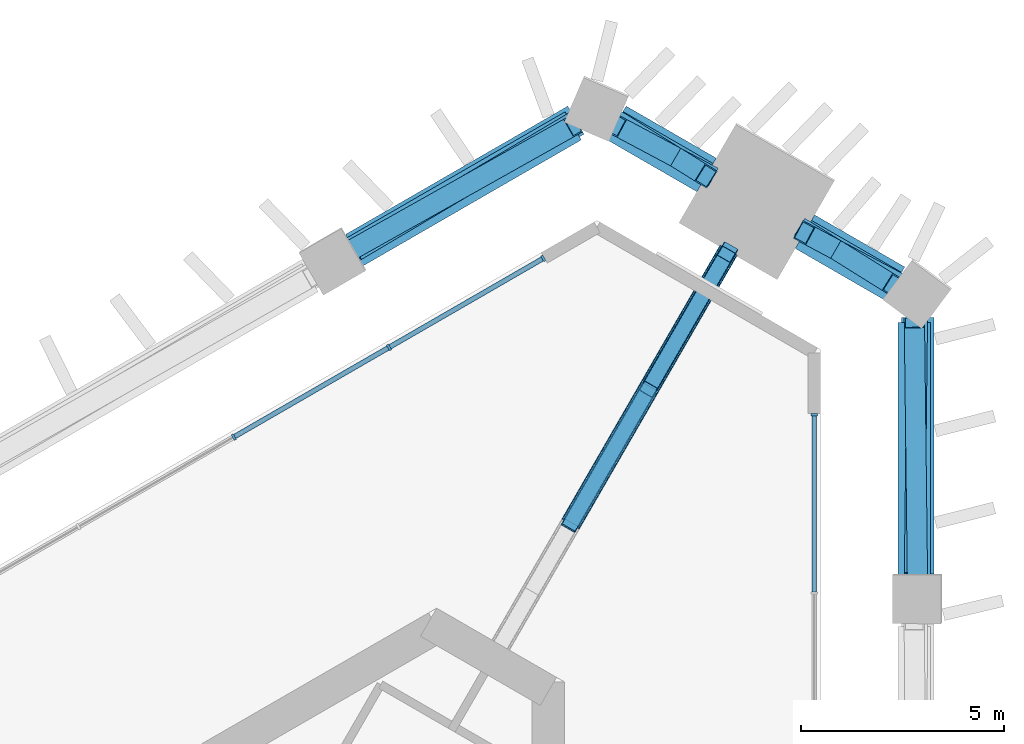
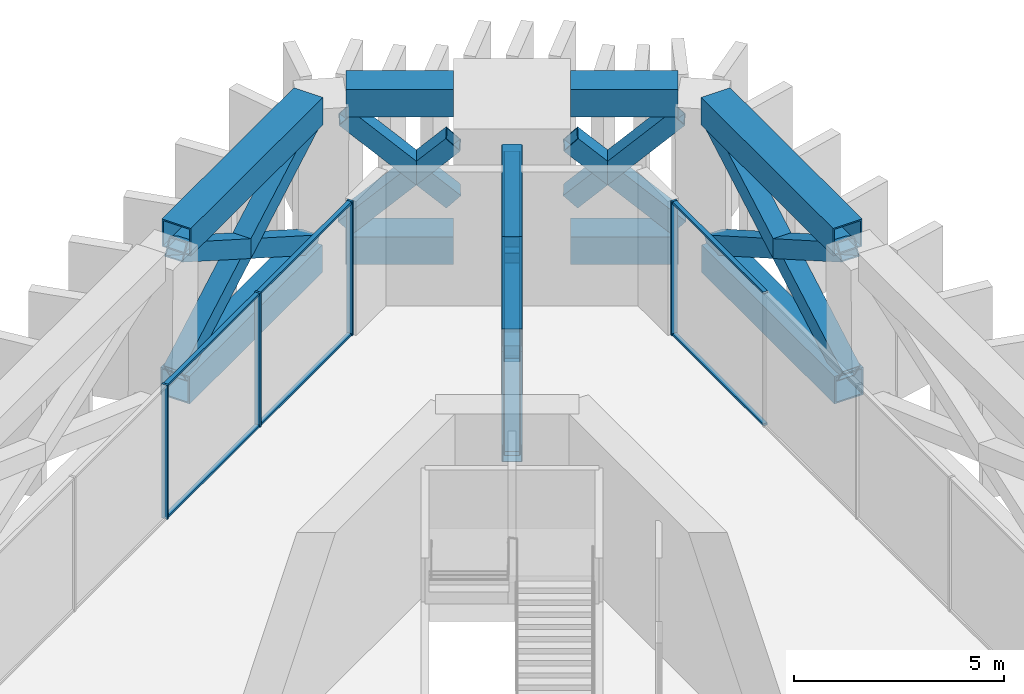
# One storey, part 12 of 18: 34 members, 2 elements without a shape of their own.
"""IFC4 building model written with IfcOpenShell, lengths in metres."""

from ifc_helpers import new_model, si_unit, direction, frame, origin, origin_2d, place, context, subcontext, project, spatial, rectangle, hollow_rectangle, extrude, material, layer, layer_set, material_profile, profile_set, type_object, element, aggregate, save


model = new_model("IFC4")

# Units and contexts
model_context = context("Model", 3, precision=1e-05, world=origin(), true_north=direction((0.0, 1.0)))
body_context = subcontext(model_context, "Body", "Model", "MODEL_VIEW")
ifc_project = project(units=[si_unit("LENGTHUNIT", "METRE"), si_unit("AREAUNIT", "SQUARE_METRE"), si_unit("VOLUMEUNIT", "CUBIC_METRE"), si_unit("PLANEANGLEUNIT", "RADIAN"), si_unit("MASSUNIT", "GRAM", prefix="KILO")], contexts=[model_context])

# Site, building, storey
site_placement = place(None, origin())
site = spatial("IfcSite", under=ifc_project, at=site_placement, CompositionType="ELEMENT")
building_placement = place(site_placement, origin())
building = spatial("IfcBuilding", under=site, at=building_placement, Name="Jabali Bay Hotel Tower and Convention Centre", CompositionType="ELEMENT")
storey_placement = place(building_placement, frame((0.0, 0.0, 52.89990234375)))
storey = spatial("IfcBuildingStorey", under=building, at=storey_placement, Name="L11", CompositionType="ELEMENT", Elevation=52.89990234375)

# Members
ifc_material_1 = material(Name="Steel Q420GJC", Category="steel")
ifc_material_profile_1 = material_profile(ifc_material_1, hollow_rectangle(XDim=0.5, YDim=0.5, WallThickness=0.030029296875, at=origin_2d()), Name="Belt brace 500x500x30")
ifc_profile_set_1 = profile_set([ifc_material_profile_1], Name="Steel Q420GJC")
member_type_1 = type_object("IfcMemberType", Name="Belt brace 500x500x30", PredefinedType="BRACE", material=ifc_profile_set_1)
member_1_placement = place(storey_placement, frame((93.396484375, 114.662109375, 1.351806640625), z_axis=(-0.634869581618, 0.338281152166, 0.69462686129), x_axis=(-0.470246250738, -0.882535247832, 0.0)))
element("IfcMember", 1, at=member_1_placement, inside=storey, type_object=member_type_1, Name="Belt brace T1 M1-V2 x1", PredefinedType="BRACE", context=body_context, shape_type="SweptSolid", body=[
    extrude(hollow_rectangle(XDim=0.5, YDim=0.5, WallThickness=0.030029296875, at=origin_2d()), origin(), (0.0, 0.0, 1.0), 3.554443359375),
])
member_2_placement = place(storey_placement, frame((91.185546875, 115.969970703125, 0.57763671875), z_axis=(0.611289290951, -0.38108922661, 0.693611133223), x_axis=(0.529033691944, 0.848600820638, 0.0)))
element("IfcMember", 2, at=member_2_placement, inside=storey, type_object=member_type_1, Name="Belt brace T1 M1-V2 x2", PredefinedType="BRACE", context=body_context, shape_type="SweptSolid", body=[
    extrude(hollow_rectangle(XDim=0.5, YDim=0.5, WallThickness=0.030029296875, at=origin_2d()), origin(), (0.0, 0.0, 1.0), 3.567626953125),
])
member_3_placement = place(storey_placement, frame((90.160400390625, 115.9814453125, 0.346435546875), z_axis=(-0.744949602243, -0.44174181381, 0.499914252698), x_axis=(0.510050356603, -0.860144542347, 0.0)))
element("IfcMember", 3, at=member_3_placement, inside=storey, type_object=member_type_1, Name="Belt brace T1 V2-F1.1 x1", PredefinedType="BRACE", context=body_context, shape_type="SweptSolid", body=[
    extrude(hollow_rectangle(XDim=0.5, YDim=0.5, WallThickness=0.030029296875, at=origin_2d()), origin(), (0.0, 0.0, 1.0), 7.415771484375),
])
for number, where, z_axis, x_axis, name in (
    (4, (84.679931640625, 112.817138671875, 0.356689453125), (0.749508950048, 0.420811982745, 0.511031906026), (-0.489565741948, 0.871966389439, 0.0), "Belt brace T1 V2-F1.1 x2"),
    (5, (98.58056640625, 104.791748046875, 0.356689453125), (-0.010321553245, 0.859497735502, 0.511035329704), (-0.999927901924, -0.012007953779, 0.0), "Belt brace T1 F0.5-V1 x1"),
):
    element("IfcMember", number, at=place(storey_placement, frame(where, z_axis=z_axis, x_axis=x_axis)), inside=storey, type_object=member_type_1, Name=name, PredefinedType="BRACE", context=body_context, shape_type="SweptSolid", body=[
        extrude(hollow_rectangle(XDim=0.5, YDim=0.5, WallThickness=0.030029296875, at=origin_2d()), origin(), (0.0, 0.0, 1.0), 7.21435546875),
    ])
member_4_placement = place(storey_placement, frame((98.58056640625, 111.1201171875, 0.346435546875), z_axis=(-0.010073840028, -0.866021031958, 0.499906081133), x_axis=(0.999932351347, -0.011631540314, 0.0)))
element("IfcMember", 6, at=member_4_placement, inside=storey, type_object=member_type_1, Name="Belt brace T1 F0.5-V1 x2", PredefinedType="BRACE", context=body_context, shape_type="SweptSolid", body=[
    extrude(hollow_rectangle(XDim=0.5, YDim=0.5, WallThickness=0.030029296875, at=origin_2d()), origin(), (0.0, 0.0, 1.0), 7.416015625),
])
member_5_placement = place(storey_placement, frame((98.05810546875, 112.002197265625, 0.57763671875), z_axis=(-0.635712637538, 0.338795830834, 0.693604229719), x_axis=(-0.470317035422, -0.882497527584, 0.0)))
element("IfcMember", 7, at=member_5_placement, inside=storey, type_object=member_type_1, Name="Belt brace T1 V1-M1 x1", PredefinedType="BRACE", context=body_context, shape_type="SweptSolid", body=[
    extrude(hollow_rectangle(XDim=0.5, YDim=0.5, WallThickness=0.030029296875, at=origin_2d()), origin(), (0.0, 0.0, 1.0), 3.56787109375),
])
member_6_placement = place(storey_placement, frame((95.820068359375, 113.262939453125, 1.351806640625), z_axis=(0.610411620928, -0.380657275029, 0.694620538139), x_axis=(0.529149011088, 0.848528917636, 0.0)))
element("IfcMember", 8, at=member_6_placement, inside=storey, type_object=member_type_1, Name="Belt brace T1 V1-M1 x2", PredefinedType="BRACE", context=body_context, shape_type="SweptSolid", body=[
    extrude(hollow_rectangle(XDim=0.5, YDim=0.5, WallThickness=0.030029296875, at=origin_2d()), origin(), (0.0, 0.0, 1.0), 3.554443359375),
])
ifc_material_profile_2 = material_profile(ifc_material_1, hollow_rectangle(XDim=0.800048828125, YDim=0.800048828125, WallThickness=0.0400390625, at=origin_2d()), Name="Belt chord 800x800x40")
ifc_profile_set_2 = profile_set([ifc_material_profile_2], Name="Steel Q420GJC")
member_type_2 = type_object("IfcMemberType", Name="Belt chord 800x800x40", PredefinedType="CHORD", material=ifc_profile_set_2)
member_7_placement = place(storey_placement, frame((93.419677734375, 114.703857421875, 0.0), z_axis=(-0.866046247233, 0.49996389635, 0.0), x_axis=(-0.49996389635, -0.866046247233, 0.0)))
element("IfcMember", 9, at=member_7_placement, inside=storey, type_object=member_type_2, Name="Belt chord T1 M1-V2", PredefinedType="CHORD", context=body_context, shape_type="SweptSolid", body=[
    extrude(hollow_rectangle(XDim=0.800048828125, YDim=0.800048828125, WallThickness=0.0400390625, at=origin_2d()), origin(), (0.0, 0.0, 1.0), 2.567626953125),
])
member_8_placement = place(storey_placement, frame((90.15673828125, 115.987548828125, 0.0), z_axis=(-0.866014693011, -0.500018551145, 0.0), x_axis=(0.500018551145, -0.866014693011, 0.0)))
element("IfcMember", 10, at=member_8_placement, inside=storey, type_object=member_type_2, Name="Belt chord T1 V2-F1.1", PredefinedType="CHORD", context=body_context, shape_type="SweptSolid", body=[
    extrude(hollow_rectangle(XDim=0.800048828125, YDim=0.800048828125, WallThickness=0.0400390625, at=origin_2d()), origin(), (0.0, 0.0, 1.0), 6.328369140625),
])
member_9_placement = place(storey_placement, frame((98.587646484375, 104.791748046875, 0.0), z_axis=(0.0, 1.0, 0.0), x_axis=(-1.0, 0.0, 0.0)))
element("IfcMember", 11, at=member_9_placement, inside=storey, type_object=member_type_2, Name="Belt chord T1 F0.5-V1", PredefinedType="CHORD", context=body_context, shape_type="SweptSolid", body=[
    extrude(hollow_rectangle(XDim=0.800048828125, YDim=0.800048828125, WallThickness=0.0400390625, at=origin_2d()), origin(), (0.0, 0.0, 1.0), 6.328125),
])
member_10_placement = place(storey_placement, frame((98.068115234375, 112.02001953125, 0.0), z_axis=(-0.866046247233, 0.49996389635, 0.0), x_axis=(-0.49996389635, -0.866046247233, 0.0)))
element("IfcMember", 12, at=member_10_placement, inside=storey, type_object=member_type_2, Name="Belt chord T1 V1-M1", PredefinedType="CHORD", context=body_context, shape_type="SweptSolid", body=[
    extrude(hollow_rectangle(XDim=0.800048828125, YDim=0.800048828125, WallThickness=0.0400390625, at=origin_2d()), origin(), (0.0, 0.0, 1.0), 2.567626953125),
])
member_11_placement = place(storey_placement, frame((93.342041015625, 114.569580078125, 4.400146484375), z_axis=(-0.866040749187, 0.499973420042, 0.0), x_axis=(-0.499973420042, -0.866040749187, 0.0)))
element("IfcMember", 13, at=member_11_placement, inside=storey, type_object=member_type_2, Name="Belt chord T1 M1-V2", PredefinedType="CHORD", context=body_context, shape_type="SweptSolid", body=[
    extrude(hollow_rectangle(XDim=0.800048828125, YDim=0.800048828125, WallThickness=0.0400390625, at=origin_2d()), origin(), (0.0, 0.0, 1.0), 2.554443359375),
])
for number, where, z_axis, x_axis, name in (
    (14, (90.090576171875, 115.8466796875, 4.400146484375), (-0.86602669382, -0.499997765587, 0.0), (0.499997765587, -0.86602669382, 0.0), "Belt chord T1 V2-F1.1"),
    (15, (98.498779296875, 104.69775390625, 4.400146484375), (0.0, 1.0, 0.0), (-1.0, 0.0, 0.0), "Belt chord T1 F0.5-V1"),
):
    element("IfcMember", number, at=place(storey_placement, frame(where, z_axis=z_axis, x_axis=x_axis)), inside=storey, type_object=member_type_2, Name=name, PredefinedType="CHORD", context=body_context, shape_type="SweptSolid", body=[
        extrude(hollow_rectangle(XDim=0.800048828125, YDim=0.800048828125, WallThickness=0.0400390625, at=origin_2d()), origin(), (0.0, 0.0, 1.0), 6.29443359375),
    ])
member_12_placement = place(storey_placement, frame((97.979248046875, 111.892333984375, 4.400146484375), z_axis=(-0.866040749187, 0.499973420042, 0.0), x_axis=(-0.499973420042, -0.866040749187, 0.0)))
element("IfcMember", 16, at=member_12_placement, inside=storey, type_object=member_type_2, Name="Belt chord T1 V1-M1", PredefinedType="CHORD", context=body_context, shape_type="SweptSolid", body=[
    extrude(hollow_rectangle(XDim=0.800048828125, YDim=0.800048828125, WallThickness=0.0400390625, at=origin_2d()), origin(), (0.0, 0.0, 1.0), 2.554443359375),
])

# Curtain wall, member
ifc_material_2 = material(Name="Aluminium and glass", Category="aluminium")
ifc_layer = layer(ifc_material_2, 0.159912109375)
ifc_layer_set = layer_set([ifc_layer], Name="Aluminium and glass")
curtain_wall_type = type_object("IfcCurtainWallType", Name="CW3 curtain wall", PredefinedType="NOTDEFINED", material=ifc_layer_set)
curtain_wall_1_placement = place(storey_placement, origin())
curtain_wall_1 = element("IfcCurtainWall", 17, at=curtain_wall_1_placement, inside=storey, type_object=curtain_wall_type, Name="CW3 curtain wall east face L11", PredefinedType="NOTDEFINED")
ifc_material_3 = material(Name="Aluminium", Category="aluminium")
ifc_material_profile_3 = material_profile(ifc_material_3, rectangle(XDim=0.159912109375, YDim=0.06005859375, at=origin_2d()), Name="CW3 mullion 60 x 160")
ifc_profile_set_3 = profile_set([ifc_material_profile_3], Name="Aluminium")
member_type_3 = type_object("IfcMemberType", Name="CW3 mullion 60 x 160", PredefinedType="MULLION", material=ifc_profile_set_3)
member_13_placement = place(storey_placement, frame((96.03759765625, 108.7177734375, 0.0), z_axis=(0.0, 0.0, 1.0), x_axis=(1.0, 0.0, 0.0)))
member_13 = element("IfcMember", 18, at=member_13_placement, type_object=member_type_3, Name="CW3 mullion 1", PredefinedType="MULLION", context=body_context, shape_type="SweptSolid", body=[
    extrude(rectangle(XDim=0.159912109375, YDim=0.06005859375, at=origin_2d()), origin(), (0.0, 0.0, 1.0), 3.900146484375),
])

# Curtain wall, members
curtain_wall_2_placement = place(storey_placement, origin())
curtain_wall_2 = element("IfcCurtainWall", 19, at=curtain_wall_2_placement, inside=storey, type_object=curtain_wall_type, Name="CW3 curtain wall north-west face L11", PredefinedType="NOTDEFINED")
member_14_placement = place(storey_placement, frame((81.717041015625, 108.17041015625, 0.0), z_axis=(0.0, 0.0, 1.0), x_axis=(-0.500000005895, 0.866025400381, 0.0)))
member_14 = element("IfcMember", 20, at=member_14_placement, type_object=member_type_3, Name="CW3 mullion 12", PredefinedType="MULLION", context=body_context, shape_type="SweptSolid", body=[
    extrude(rectangle(XDim=0.159912109375, YDim=0.06005859375, at=origin_2d()), origin(), (0.0, 0.0, 1.0), 3.900146484375),
])
member_15_placement = place(storey_placement, frame((85.547119140625, 110.381591796875, 0.0), z_axis=(0.0, 0.0, 1.0), x_axis=(-0.500000005895, 0.866025400381, 0.0)))
member_15 = element("IfcMember", 21, at=member_15_placement, type_object=member_type_3, Name="CW3 mullion 13", PredefinedType="MULLION", context=body_context, shape_type="SweptSolid", body=[
    extrude(rectangle(XDim=0.159912109375, YDim=0.06005859375, at=origin_2d()), origin(), (0.0, 0.0, 1.0), 3.900146484375),
])
member_16_placement = place(storey_placement, frame((89.3515625, 112.578125, 0.0), z_axis=(0.0, 0.0, 1.0), x_axis=(-0.500000005895, 0.866025400381, 0.0)))
member_16 = element("IfcMember", 22, at=member_16_placement, type_object=member_type_3, Name="CW3 mullion 14", PredefinedType="MULLION", context=body_context, shape_type="SweptSolid", body=[
    extrude(rectangle(XDim=0.159912109375, YDim=0.06005859375, at=origin_2d()), origin(), (0.0, 0.0, 1.0), 3.900146484375),
])

# Member
ifc_material_profile_4 = material_profile(ifc_material_3, rectangle(XDim=0.1201171875, YDim=0.06005859375, at=origin_2d()), Name="CW3 transom 60 x 120")
ifc_profile_set_4 = profile_set([ifc_material_profile_4], Name="Aluminium")
member_type_4 = type_object("IfcMemberType", Name="CW3 transom 60 x 120", PredefinedType="USERDEFINED", material=ifc_profile_set_4)
member_17_placement = place(storey_placement, frame((96.03759765625, 108.687744140625, 0.030029296875), z_axis=(0.0, -1.0, 0.0), x_axis=(1.0, 0.0, 0.0)))
member_17 = element("IfcMember", 23, at=member_17_placement, type_object=member_type_4, Name="CW3 transom 1.1", ObjectType="TRANSOM", PredefinedType="USERDEFINED", context=body_context, shape_type="SweptSolid", body=[
    extrude(rectangle(XDim=0.1201171875, YDim=0.06005859375, at=origin_2d()), origin(), (0.0, 0.0, 1.0), 4.332763671875),
])

member_18_placement = place(storey_placement, frame((96.03759765625, 108.687744140625, 3.8701171875), z_axis=(0.0, -1.0, 0.0), x_axis=(1.0, 0.0, 0.0)))
member_18 = element("IfcMember", 24, at=member_18_placement, type_object=member_type_4, Name="CW3 transom 1.2", ObjectType="TRANSOM", PredefinedType="USERDEFINED", context=body_context, shape_type="SweptSolid", body=[
    extrude(rectangle(XDim=0.1201171875, YDim=0.06005859375, at=origin_2d()), origin(), (0.0, 0.0, 1.0), 4.332763671875),
])

aggregate(curtain_wall_1, [member_13, member_17, member_18])

member_19_placement = place(storey_placement, frame((81.742919921875, 108.185302734375, 0.030029296875), z_axis=(0.86602716698, 0.499996946043, 0.0), x_axis=(-0.499996946043, 0.86602716698, 0.0)))
member_19 = element("IfcMember", 25, at=member_19_placement, type_object=member_type_4, Name="CW3 transom 12.1", ObjectType="TRANSOM", PredefinedType="USERDEFINED", context=body_context, shape_type="SweptSolid", body=[
    extrude(rectangle(XDim=0.1201171875, YDim=0.06005859375, at=origin_2d()), origin(), (0.0, 0.0, 1.0), 4.36279296875),
])

member_20_placement = place(storey_placement, frame((81.742919921875, 108.185302734375, 3.8701171875), z_axis=(0.86602716698, 0.499996946043, 0.0), x_axis=(-0.499996946043, 0.86602716698, 0.0)))
member_20 = element("IfcMember", 26, at=member_20_placement, type_object=member_type_4, Name="CW3 transom 12.2", ObjectType="TRANSOM", PredefinedType="USERDEFINED", context=body_context, shape_type="SweptSolid", body=[
    extrude(rectangle(XDim=0.1201171875, YDim=0.06005859375, at=origin_2d()), origin(), (0.0, 0.0, 1.0), 4.36279296875),
])

member_21_placement = place(storey_placement, frame((85.5732421875, 110.396728515625, 0.030029296875), z_axis=(0.866032633092, 0.499987478263, 0.0), x_axis=(-0.499987478263, 0.866032633092, 0.0)))
member_21 = element("IfcMember", 27, at=member_21_placement, type_object=member_type_4, Name="CW3 transom 13.1", ObjectType="TRANSOM", PredefinedType="USERDEFINED", context=body_context, shape_type="SweptSolid", body=[
    extrude(rectangle(XDim=0.1201171875, YDim=0.06005859375, at=origin_2d()), origin(), (0.0, 0.0, 1.0), 4.33251953125),
])

member_22_placement = place(storey_placement, frame((85.5732421875, 110.396728515625, 3.8701171875), z_axis=(0.866032633092, 0.499987478263, 0.0), x_axis=(-0.499987478263, 0.866032633092, 0.0)))
member_22 = element("IfcMember", 28, at=member_22_placement, type_object=member_type_4, Name="CW3 transom 13.2", ObjectType="TRANSOM", PredefinedType="USERDEFINED", context=body_context, shape_type="SweptSolid", body=[
    extrude(rectangle(XDim=0.1201171875, YDim=0.06005859375, at=origin_2d()), origin(), (0.0, 0.0, 1.0), 4.33251953125),
])

aggregate(curtain_wall_2, [member_14, member_15, member_16, member_19, member_20, member_21, member_22])

# Members
ifc_material_profile_5 = material_profile(ifc_material_1, hollow_rectangle(XDim=0.39990234375, YDim=0.39990234375, WallThickness=0.011962890625, InnerFilletRadius=0.01806640625, OuterFilletRadius=0.030029296875, at=origin_2d()), Name="Outrigger brace 400x400x12")
ifc_profile_set_5 = profile_set([ifc_material_profile_5], Name="Steel Q420GJC")
member_type_5 = type_object("IfcMemberType", Name="Outrigger brace 400x400x12", PredefinedType="BRACE", material=ifc_profile_set_5)
member_23_placement = place(storey_placement, frame((90.043701171875, 106.05615234375, 0.25), z_axis=(0.372789613385, 0.645718884948, 0.666389545066), x_axis=(-0.866034903993, 0.499983544795, 0.0)))
element("IfcMember", 29, at=member_23_placement, inside=storey, type_object=member_type_5, Name="Outrigger brace T1 2.2x1", PredefinedType="BRACE", context=body_context, shape_type="SweptSolid", body=[
    extrude(hollow_rectangle(XDim=0.39990234375, YDim=0.39990234375, WallThickness=0.011962890625, InnerFilletRadius=0.01806640625, OuterFilletRadius=0.030029296875, at=origin_2d()), origin(), (0.0, 0.0, 1.0), 5.102294921875),
])
member_24_placement = place(storey_placement, frame((91.985595703125, 109.419921875, 0.25), z_axis=(-0.377865800827, -0.654494037047, 0.654870210069), x_axis=(0.866029132408, -0.499993541779, 0.0)))
element("IfcMember", 30, at=member_24_placement, inside=storey, type_object=member_type_5, Name="Outrigger brace T1 2.2x2", PredefinedType="BRACE", context=body_context, shape_type="SweptSolid", body=[
    extrude(hollow_rectangle(XDim=0.39990234375, YDim=0.39990234375, WallThickness=0.011962890625, InnerFilletRadius=0.01806640625, OuterFilletRadius=0.030029296875, at=origin_2d()), origin(), (0.0, 0.0, 1.0), 5.192138671875),
])
member_25_placement = place(storey_placement, frame((91.985595703125, 109.419921875, 0.25), z_axis=(0.371031458945, 0.642675194097, 0.670301612236), x_axis=(-0.866035461704, 0.499982578767, 0.0)))
element("IfcMember", 31, at=member_25_placement, inside=storey, type_object=member_type_5, Name="Outrigger brace T1 2.3x1", PredefinedType="BRACE", context=body_context, shape_type="SweptSolid", body=[
    extrude(hollow_rectangle(XDim=0.39990234375, YDim=0.39990234375, WallThickness=0.011962890625, InnerFilletRadius=0.01806640625, OuterFilletRadius=0.030029296875, at=origin_2d()), origin(), (0.0, 0.0, 1.0), 5.072509765625),
])
member_26_placement = place(storey_placement, frame((93.927734375, 112.78369140625, 0.25), z_axis=(-0.379505360901, -0.657332456224, 0.651068140092), x_axis=(0.866028661061, -0.499994358189, 0.0)))
element("IfcMember", 32, at=member_26_placement, inside=storey, type_object=member_type_5, Name="Outrigger brace T1 2.3x2", PredefinedType="BRACE", context=body_context, shape_type="SweptSolid", body=[
    extrude(hollow_rectangle(XDim=0.39990234375, YDim=0.39990234375, WallThickness=0.011962890625, InnerFilletRadius=0.01806640625, OuterFilletRadius=0.030029296875, at=origin_2d()), origin(), (0.0, 0.0, 1.0), 5.222412109375),
])
ifc_material_profile_6 = material_profile(ifc_material_1, hollow_rectangle(XDim=0.5, YDim=0.5, WallThickness=0.01611328125, InnerFilletRadius=0.02392578125, OuterFilletRadius=0.0400390625, at=origin_2d()), Name="Outrigger chord 500x500x16")
ifc_profile_set_6 = profile_set([ifc_material_profile_6], Name="Steel Q420GJC")
member_type_6 = type_object("IfcMemberType", Name="Outrigger chord 500x500x16", PredefinedType="CHORD", material=ifc_profile_set_6)
member_27_placement = place(storey_placement, frame((90.043701171875, 106.05615234375, 0.25), z_axis=(0.499965490628, 0.866045326863, 0.0), x_axis=(-0.866045326863, 0.499965490628, 0.0)))
element("IfcMember", 33, at=member_27_placement, inside=storey, type_object=member_type_6, Name="Outrigger chord T1 2.lo2", PredefinedType="CHORD", context=body_context, shape_type="SweptSolid", body=[
    extrude(hollow_rectangle(XDim=0.5, YDim=0.5, WallThickness=0.01611328125, InnerFilletRadius=0.02392578125, OuterFilletRadius=0.0400390625, at=origin_2d()), origin(), (0.0, 0.0, 1.0), 3.884033203125),
])
member_28_placement = place(storey_placement, frame((91.985595703125, 109.419921875, 0.25), z_axis=(0.50001263341, 0.866018109759, 0.0), x_axis=(-0.866018109759, 0.50001263341, 0.0)))
element("IfcMember", 34, at=member_28_placement, inside=storey, type_object=member_type_6, Name="Outrigger chord T1 2.lo3", PredefinedType="CHORD", context=body_context, shape_type="SweptSolid", body=[
    extrude(hollow_rectangle(XDim=0.5, YDim=0.5, WallThickness=0.01611328125, InnerFilletRadius=0.02392578125, OuterFilletRadius=0.0400390625, at=origin_2d()), origin(), (0.0, 0.0, 1.0), 3.88427734375),
])
member_29_placement = place(storey_placement, frame((90.023681640625, 106.021728515625, 3.650146484375), z_axis=(0.500011990396, 0.866018481016, 0.0), x_axis=(-0.866018481016, 0.500011990396, 0.0)))
element("IfcMember", 35, at=member_29_placement, inside=storey, type_object=member_type_6, Name="Outrigger chord T1 2.hi2", PredefinedType="CHORD", context=body_context, shape_type="SweptSolid", body=[
    extrude(hollow_rectangle(XDim=0.5, YDim=0.5, WallThickness=0.01611328125, InnerFilletRadius=0.02392578125, OuterFilletRadius=0.0400390625, at=origin_2d()), origin(), (0.0, 0.0, 1.0), 3.84423828125),
])
member_30_placement = place(storey_placement, frame((91.94580078125, 109.350830078125, 3.650146484375), z_axis=(0.499964356602, 0.866045981532, 0.0), x_axis=(-0.866045981532, 0.499964356602, 0.0)))
element("IfcMember", 36, at=member_30_placement, inside=storey, type_object=member_type_6, Name="Outrigger chord T1 2.hi3", PredefinedType="CHORD", context=body_context, shape_type="SweptSolid", body=[
    extrude(hollow_rectangle(XDim=0.5, YDim=0.5, WallThickness=0.01611328125, InnerFilletRadius=0.02392578125, OuterFilletRadius=0.0400390625, at=origin_2d()), origin(), (0.0, 0.0, 1.0), 3.843994140625),
])

save(model, "model.ifc")
